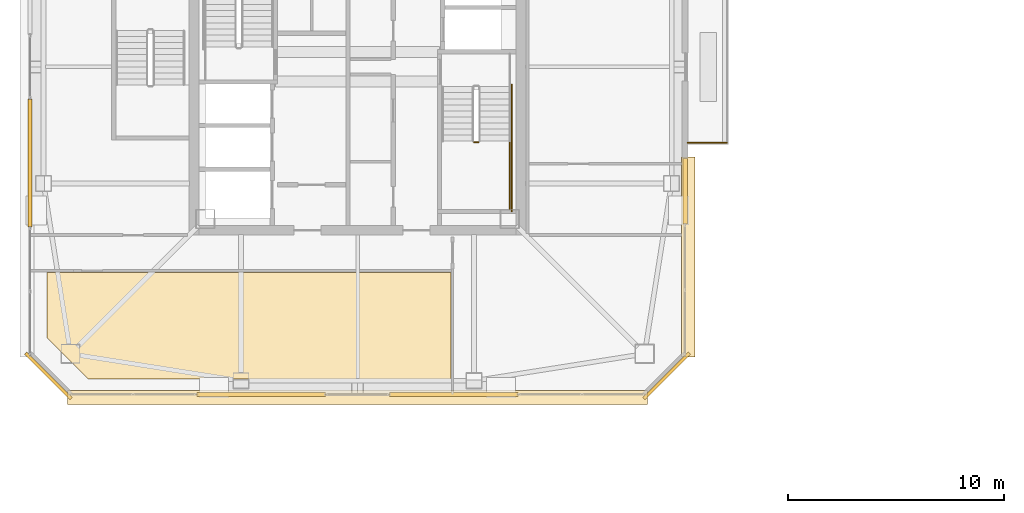
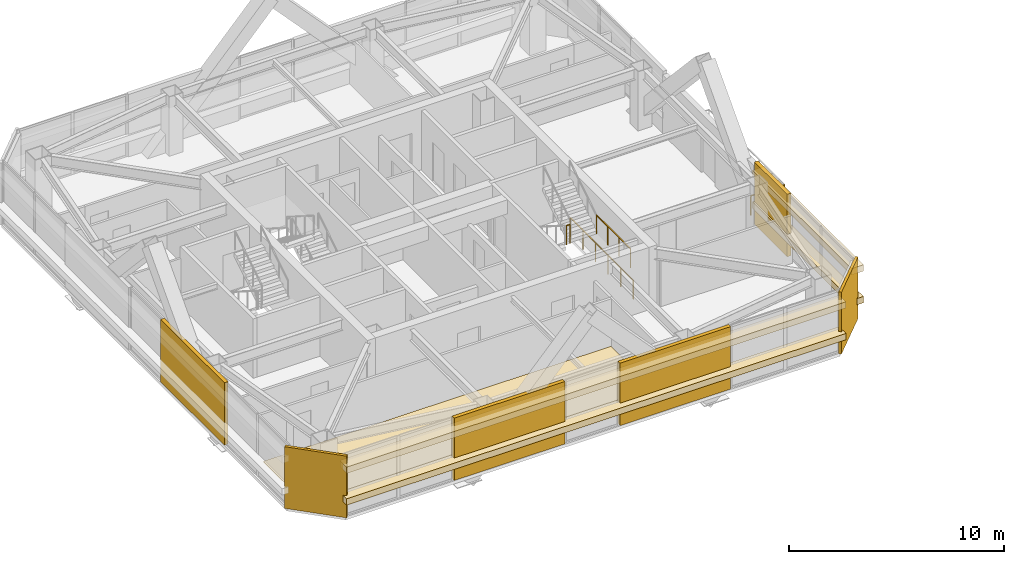
# One storey, part 22 of 24: 11 coverings, 4 railings.
"""IFC4 building model written with IfcOpenShell, lengths in metres."""

from ifc_helpers import new_model, si_unit, direction, frame, origin, origin_2d, place, context, subcontext, project, spatial, polyline, rectangle, outline, extrude, material, layer, layer_set, type_object, element, save


model = new_model("IFC4")

# Units and contexts
model_context = context("Model", 3, precision=1e-05, world=origin(), true_north=direction((0.0, 1.0)))
body_context = subcontext(model_context, "Body", "Model", "MODEL_VIEW")
ifc_project = project(units=[si_unit("LENGTHUNIT", "METRE"), si_unit("AREAUNIT", "SQUARE_METRE"), si_unit("VOLUMEUNIT", "CUBIC_METRE"), si_unit("PLANEANGLEUNIT", "RADIAN"), si_unit("MASSUNIT", "GRAM", prefix="KILO")], contexts=[model_context])

# Site, building, storey
site_placement = place(None, origin())
site = spatial("IfcSite", under=ifc_project, at=site_placement, CompositionType="ELEMENT")
building_placement = place(site_placement, origin())
building = spatial("IfcBuilding", under=site, at=building_placement, Name="Tashvorn Skyway Center", CompositionType="ELEMENT")
storey_placement = place(building_placement, frame((0.0, 0.0, 270.5)))
storey = spatial("IfcBuildingStorey", under=building, at=storey_placement, Name="L73", CompositionType="ELEMENT", Elevation=270.5)

# Coverings
ifc_material_1 = material(Name="Precast concrete C40/50", Category="concrete")
ifc_layer_1 = layer(ifc_material_1, 0.199951171875)
ifc_layer_set_1 = layer_set([ifc_layer_1], Name="Precast concrete C40/50")
covering_type_1 = type_object("IfcCoveringType", Name="COV-BRACE-CLAD", PredefinedType="CLADDING", material=ifc_layer_set_1)
for number, where, z_axis, x_axis, name in (
    (1, (46.4599609375, 16.820068359375, 0.0), (0.0, 0.0, 1.0), (-1.0, 0.0, 0.0), "Tower 1 L73 South Unitised Curtain Wall Mega-Brace Cladding Band 1"),
    (2, (37.5400390625, 16.820068359375, 0.0), (0.0, 0.0, 1.0), (-1.0, 0.0, 0.0), "Tower 1 L73 South Unitised Curtain Wall Mega-Brace Cladding Band 2"),
    (3, (26.820068359375, 27.5400390625, 0.0), (0.0, 0.0, 1.0), (0.0, 1.0, 0.0), "Tower 1 L73 West Unitised Curtain Wall Mega-Brace Cladding Band 1"),
):
    element("IfcCovering", number, at=place(storey_placement, frame(where, z_axis=z_axis, x_axis=x_axis)), inside=storey, type_object=covering_type_1, Name=name, PredefinedType="CLADDING", context=body_context, shape_type="SweptSolid", body=[
        extrude(rectangle(XDim=5.946533203125, YDim=0.199951171875, at=origin_2d()), origin(), (0.0, 0.0, 1.0), 3.550048828125),
    ])
covering_1_placement = place(storey_placement, frame((57.179931640625, 26.228271484375, 0.0), z_axis=(0.0, 0.0, 1.0), x_axis=(0.0, -1.0, 0.0)))
element("IfcCovering", 4, at=covering_1_placement, inside=storey, type_object=covering_type_1, Name="Tower 1 L73 East Curtain Wall R Mega-Brace Cladding Band 1", PredefinedType="CLADDING", context=body_context, shape_type="SweptSolid", body=[
    extrude(rectangle(XDim=3.043212890625, YDim=0.199951171875, at=origin_2d()), origin(), (0.0, 0.0, 1.0), 3.550048828125),
])
ifc_material_2 = material(Name="Polished Mojave desert-aggregate terrazzo and cover plate")
ifc_layer_2 = layer(ifc_material_2, 0.0400390625)
ifc_layer_set_2 = layer_set([ifc_layer_2], Name="Polished Mojave desert-aggregate terrazzo and cover plate")
covering_type_2 = type_object("IfcCoveringType", Name="COV-FLR-40", PredefinedType="FLOORING", material=ifc_layer_set_2)
covering_2_placement = place(storey_placement, origin())
element("IfcCovering", 5, at=covering_2_placement, inside=storey, type_object=covering_type_2, Name="Tower 1 L73 Wellness Clinic Finish Flooring", PredefinedType="FLOORING", context=body_context, shape_type="SweptSolid", body=[
    extrude(outline(polyline([(29.530029296875, 17.530029296875), (27.610107421875, 19.449951171875), (27.610107421875, 22.469970703125), (46.320068359375, 22.469970703125), (46.320068359375, 17.530029296875), (29.530029296875, 17.530029296875)])), origin(), (0.0, 0.0, 1.0), 0.0400390625),
])
ifc_material_3 = material(Name="Perforated ceramic-coated bronze aluminium solar screen", Category="aluminium")
ifc_layer_3 = layer(ifc_material_3, 0.85009765625)
ifc_layer_set_3 = layer_set([ifc_layer_3], Name="Perforated ceramic-coated bronze aluminium solar screen")
covering_type_3 = type_object("IfcCoveringType", Name="COV-SOLAR-BAND", PredefinedType="CLADDING", material=ifc_layer_set_3)
for number, where, z_axis, x_axis, name in (
    (6, (42.0, 16.679931640625, 0.919921875), (0.0, 0.0, 1.0), (-1.0, 0.0, 0.0), "L73 Perforated Ceramic-Metal Solar Screen Louvre Band South 1"),
    (7, (42.0, 16.679931640625, 2.7197265625), (0.0, 0.0, 1.0), (-1.0, 0.0, 0.0), "L73 Perforated Ceramic-Metal Solar Screen Louvre Band South 2"),
):
    element("IfcCovering", number, at=place(storey_placement, frame(where, z_axis=z_axis, x_axis=x_axis)), inside=storey, type_object=covering_type_3, Name=name, PredefinedType="CLADDING", context=body_context, shape_type="SweptSolid", body=[
        extrude(rectangle(XDim=26.8798828125, YDim=0.639892578125, at=origin_2d()), origin(), (0.0, 0.0, 1.0), 0.360107421875),
    ])
for number, where, z_axis, x_axis, name in (
    (8, (57.320068359375, 23.18505859375, 0.919921875), (0.0, 0.0, 1.0), (0.0, -1.0, 0.0), "L73 Perforated Ceramic-Metal Solar Screen Louvre Band East 1"),
    (9, (57.320068359375, 23.18505859375, 2.7197265625), (0.0, 0.0, 1.0), (0.0, -1.0, 0.0), "L73 Perforated Ceramic-Metal Solar Screen Louvre Band East 2"),
):
    element("IfcCovering", number, at=place(storey_placement, frame(where, z_axis=z_axis, x_axis=x_axis)), inside=storey, type_object=covering_type_3, Name=name, PredefinedType="CLADDING", context=body_context, shape_type="SweptSolid", body=[
        extrude(rectangle(XDim=9.25, YDim=0.639892578125, at=origin_2d()), origin(), (0.0, 0.0, 1.0), 0.360107421875),
    ])
ifc_layer_4 = layer(ifc_material_1, 0.35009765625)
ifc_layer_set_4 = layer_set([ifc_layer_4], Name="Precast concrete C40/50")
covering_type_4 = type_object("IfcCoveringType", Name="COV-STONE-TRIM", PredefinedType="CLADDING", material=ifc_layer_set_4)
for number, where, z_axis, x_axis, name in (
    (10, (27.679931640625, 17.679931640625, 0.02001953125), (0.0, 0.0, 1.0), (-0.707106781187, 0.707106781187, 0.0), "Tower 1 L73 SW Mojave Limestone Corner Quoin"),
    (11, (56.320068359375, 17.679931640625, 0.02001953125), (0.0, 0.0, 1.0), (0.707106781187, 0.707106781187, 0.0), "Tower 1 L73 SE Mojave Limestone Corner Quoin"),
):
    element("IfcCovering", number, at=place(storey_placement, frame(where, z_axis=z_axis, x_axis=x_axis)), inside=storey, type_object=covering_type_4, Name=name, PredefinedType="CLADDING", context=body_context, shape_type="SweptSolid", body=[
        extrude(rectangle(XDim=2.98828125, YDim=0.139892578125, at=origin_2d()), origin(), (0.0, 0.0, 1.0), 3.510009765625),
    ])

# Railings
ifc_material_4 = material(Name="Galvanized steel S355", Category="steel")
railing_type_1 = type_object("IfcRailingType", Name="RAIL-GUARD-1120", PredefinedType="GUARDRAIL", material=ifc_material_4)
railing_1_placement = place(storey_placement, frame((57.300048828125, 28.47998046875, 0.0)))
element("IfcRailing", 12, at=railing_1_placement, inside=storey, type_object=railing_type_1, Name="L73 Tower 1 Terrace Guardrail 01", PredefinedType="GUARDRAIL", context=body_context, shape_type="SweptSolid", body=[
    extrude(rectangle(XDim=0.048095703125, YDim=0.048095703125, at=origin_2d()), frame((0.0, 0.0, 1.09619140625), z_axis=(1.0, 0.0, 0.0), x_axis=(0.0, 1.0, 0.0)), (0.0, 0.0, 1.0), 1.820068359375),
    extrude(rectangle(XDim=0.0419921875, YDim=0.0419921875, at=origin_2d()), origin(), (0.0, 0.0, 1.0), 1.072021484375),
    extrude(rectangle(XDim=0.0419921875, YDim=0.0419921875, at=origin_2d()), frame((0.91015625, 0.0, 0.0)), (0.0, 0.0, 1.0), 1.072021484375),
    extrude(rectangle(XDim=0.0419921875, YDim=0.0419921875, at=origin_2d()), frame((1.820068359375, 0.0, 0.0)), (0.0, 0.0, 1.0), 1.072021484375),
])
ifc_material_5 = material(Name="Painted galvanized steel S355", Category="steel")
railing_type_2 = type_object("IfcRailingType", Name="RAIL-STGUARD-1100", PredefinedType="GUARDRAIL", material=ifc_material_5)
railing_2_placement = place(storey_placement, frame((47.39990234375, 28.510009765625, 1.77490234375)))
element("IfcRailing", 13, at=railing_2_placement, inside=storey, type_object=railing_type_2, Name="L73 ST-T1-2 stair guard 2", PredefinedType="GUARDRAIL", context=body_context, shape_type="SweptSolid", body=[
    extrude(rectangle(XDim=0.048095703125, YDim=0.048095703125, at=origin_2d()), frame((0.0, 0.0, 1.076171875), z_axis=(1.0, 0.0, 0.0), x_axis=(0.0, 1.0, 0.0)), (0.0, 0.0, 1.0), 0.2001953125),
    extrude(rectangle(XDim=0.0419921875, YDim=0.0419921875, at=origin_2d()), origin(), (0.0, 0.0, 1.0), 1.052001953125),
    extrude(rectangle(XDim=0.0419921875, YDim=0.0419921875, at=origin_2d()), frame((0.2001953125, 0.0, 0.0)), (0.0, 0.0, 1.0), 1.052001953125),
])
railing_3_placement = place(storey_placement, frame((49.050048828125, 28.56005859375, 1.77490234375)))
element("IfcRailing", 14, at=railing_3_placement, inside=storey, type_object=railing_type_2, Name="L73 ST-T1-2 stair guard 3", PredefinedType="GUARDRAIL", context=body_context, shape_type="SweptSolid", body=[
    extrude(rectangle(XDim=0.048095703125, YDim=0.048095703125, at=origin_2d()), frame((0.0, 0.0, 1.076171875), z_axis=(0.0, -1.0, 0.0), x_axis=(1.0, 0.0, 0.0)), (0.0, 0.0, 1.0), 3.16015625),
    extrude(rectangle(XDim=0.0419921875, YDim=0.0419921875, at=origin_2d()), origin(), (0.0, 0.0, 1.0), 1.052001953125),
    extrude(rectangle(XDim=0.0419921875, YDim=0.0419921875, at=origin_2d()), frame((0.0, -1.053466796875, 0.0)), (0.0, 0.0, 1.0), 1.052001953125),
    extrude(rectangle(XDim=0.0419921875, YDim=0.0419921875, at=origin_2d()), frame((0.0, -2.106689453125, 0.0)), (0.0, 0.0, 1.0), 1.052001953125),
    extrude(rectangle(XDim=0.0419921875, YDim=0.0419921875, at=origin_2d()), frame((0.0, -3.16015625, 0.0)), (0.0, 0.0, 1.0), 1.052001953125),
])
railing_4_placement = place(storey_placement, frame((49.14990234375, 31.179931640625, 0.0)))
element("IfcRailing", 15, at=railing_4_placement, inside=storey, type_object=railing_type_2, Name="L73 ST-T1-2 stair guard 7", PredefinedType="GUARDRAIL", context=body_context, shape_type="SweptSolid", body=[
    extrude(rectangle(XDim=0.048095703125, YDim=0.048095703125, at=origin_2d()), frame((0.0, 0.0, 1.076171875), z_axis=(0.0, -1.0, 0.0), x_axis=(1.0, 0.0, 0.0)), (0.0, 0.0, 1.0), 5.8798828125),
    extrude(rectangle(XDim=0.0419921875, YDim=0.0419921875, at=origin_2d()), origin(), (0.0, 0.0, 1.0), 1.052001953125),
    extrude(rectangle(XDim=0.0419921875, YDim=0.0419921875, at=origin_2d()), frame((0.0, -1.176025390625, 0.0)), (0.0, 0.0, 1.0), 1.052001953125),
    extrude(rectangle(XDim=0.0419921875, YDim=0.0419921875, at=origin_2d()), frame((0.0, -2.35205078125, 0.0)), (0.0, 0.0, 1.0), 1.052001953125),
    extrude(rectangle(XDim=0.0419921875, YDim=0.0419921875, at=origin_2d()), frame((0.0, -3.52783203125, 0.0)), (0.0, 0.0, 1.0), 1.052001953125),
    extrude(rectangle(XDim=0.0419921875, YDim=0.0419921875, at=origin_2d()), frame((0.0, -4.703857421875, 0.0)), (0.0, 0.0, 1.0), 1.052001953125),
    extrude(rectangle(XDim=0.0419921875, YDim=0.0419921875, at=origin_2d()), frame((0.0, -5.8798828125, 0.0)), (0.0, 0.0, 1.0), 1.052001953125),
])

save(model, "model.ifc")
